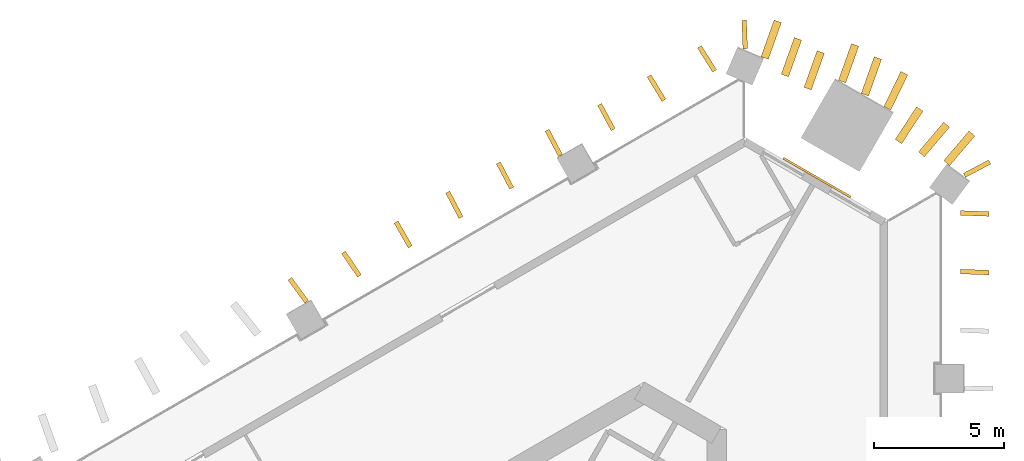
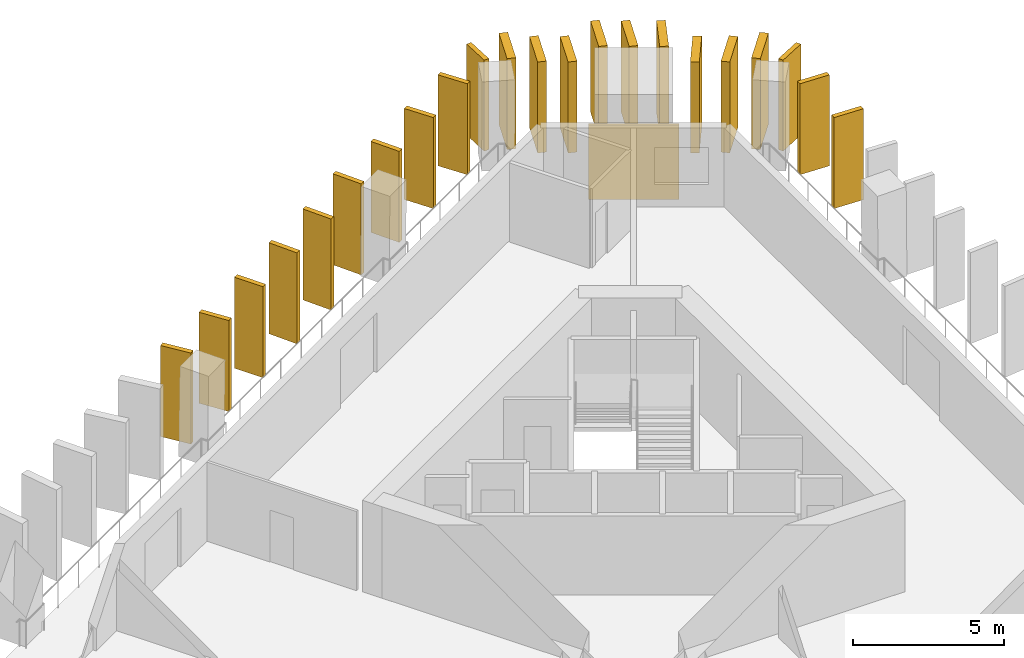
# One storey, part 10 of 10: 22 shading devices, 1 covering.
"""IFC4 building model written with IfcOpenShell, lengths in metres."""

from ifc_helpers import new_model, si_unit, direction, frame, frame_2d, origin, origin_2d, place, context, subcontext, project, spatial, rectangle, extrude, material, layer, layer_set, type_object, element, save


model = new_model("IFC4")

# Units and contexts
model_context = context("Model", 3, precision=1e-05, world=origin(), true_north=direction((0.0, 1.0)))
body_context = subcontext(model_context, "Body", "Model", "MODEL_VIEW")
ifc_project = project(units=[si_unit("LENGTHUNIT", "METRE"), si_unit("AREAUNIT", "SQUARE_METRE"), si_unit("VOLUMEUNIT", "CUBIC_METRE"), si_unit("PLANEANGLEUNIT", "RADIAN"), si_unit("MASSUNIT", "GRAM", prefix="KILO")], contexts=[model_context])

# Site, building, storey
site_placement = place(None, origin())
site = spatial("IfcSite", under=ifc_project, at=site_placement, CompositionType="ELEMENT")
building_placement = place(site_placement, origin())
building = spatial("IfcBuilding", under=site, at=building_placement, Name="Jabali Bay Hotel Tower and Convention Centre", CompositionType="ELEMENT")
storey_placement = place(building_placement, frame((0.0, 0.0, 57.300048828125)))
storey = spatial("IfcBuildingStorey", under=building, at=storey_placement, Name="L12", CompositionType="ELEMENT", Elevation=57.300048828125)

# Shading devices
ifc_material_1 = material(Name="Precast concrete C60", Category="concrete")
ifc_layer_1 = layer(ifc_material_1, 0.179931640625)
ifc_layer_set_1 = layer_set([ifc_layer_1], Name="Precast concrete C60")
shading_device_type_1 = type_object("IfcShadingDeviceType", Name="Precast fin 3680 x 1100", PredefinedType="USERDEFINED", material=ifc_layer_set_1)
shading_device_1_placement = place(storey_placement, frame((98.90234375, 108.20751953125, 0.010009765625), z_axis=(0.0, 0.0, 1.0), x_axis=(0.999287815158, -0.037734102305, 0.0)))
element("IfcShadingDevice", 1, at=shading_device_1_placement, inside=storey, type_object=shading_device_type_1, Name="Fin L12 026", ObjectType="FIN", PredefinedType="USERDEFINED", context=body_context, shape_type="SweptSolid", body=[
    extrude(rectangle(XDim=1.099853515625, YDim=0.179931640625, at=frame_2d((0.5498046875, 0.0))), origin(), (0.0, 0.0, 1.0), 3.679931640625),
])
for number, where, z_axis, x_axis, name in (
    (2, (98.902099609375, 110.464111328125, 0.010009765625), (0.0, 0.0, 1.0), (0.99931300854, -0.037060908822, 0.0), "Fin L12 027"),
    (3, (89.431640625, 115.931884765625, 0.010009765625), (0.0, 0.0, 1.0), (-0.53149419322, 0.8470619355, 0.0), "Fin L12 037"),
):
    element("IfcShadingDevice", number, at=place(storey_placement, frame(where, z_axis=z_axis, x_axis=x_axis)), inside=storey, type_object=shading_device_type_1, Name=name, ObjectType="FIN", PredefinedType="USERDEFINED", context=body_context, shape_type="SweptSolid", body=[
        extrude(rectangle(XDim=1.10009765625, YDim=0.179931640625, at=frame_2d((0.550048828125, 0.0))), origin(), (0.0, 0.0, 1.0), 3.679931640625),
    ])
for number, where, z_axis, x_axis, name in (
    (4, (87.47802734375, 114.802490234375, 0.010009765625), (0.0, 0.0, 1.0), (-0.518700098875, 0.854956260534, 0.0), "Fin L12 038"),
    (5, (85.523193359375, 113.6748046875, 0.010009765625), (0.0, 0.0, 1.0), (-0.474179250163, 0.880428326847, 0.0), "Fin L12 039"),
    (6, (83.49365234375, 112.677001953125, 0.010009765625), (0.0, 0.0, 1.0), (-0.467255274721, 0.884122450934, 0.0), "Fin L12 040"),
):
    element("IfcShadingDevice", number, at=place(storey_placement, frame(where, z_axis=z_axis, x_axis=x_axis)), inside=storey, type_object=shading_device_type_1, Name=name, ObjectType="FIN", PredefinedType="USERDEFINED", context=body_context, shape_type="SweptSolid", body=[
        extrude(rectangle(XDim=1.099853515625, YDim=0.179931640625, at=frame_2d((0.5498046875, 0.0))), origin(), (0.0, 0.0, 1.0), 3.679931640625),
    ])
shading_device_2_placement = place(storey_placement, frame((81.614501953125, 111.418701171875, 0.010009765625), z_axis=(0.0, 0.0, 1.0), x_axis=(-0.466286019642, 0.884634019178, 0.0)))
element("IfcShadingDevice", 7, at=shading_device_2_placement, inside=storey, type_object=shading_device_type_1, Name="Fin L12 041", ObjectType="FIN", PredefinedType="USERDEFINED", context=body_context, shape_type="SweptSolid", body=[
    extrude(rectangle(XDim=1.10009765625, YDim=0.179931640625, at=frame_2d((0.550048828125, 0.0))), origin(), (0.0, 0.0, 1.0), 3.679931640625),
])
shading_device_3_placement = place(storey_placement, frame((79.659912109375, 110.290771484375, 0.010009765625), z_axis=(0.0, 0.0, 1.0), x_axis=(-0.463476076076, 0.886109432804, 0.0)))
element("IfcShadingDevice", 8, at=shading_device_3_placement, inside=storey, type_object=shading_device_type_1, Name="Fin L12 042", ObjectType="FIN", PredefinedType="USERDEFINED", context=body_context, shape_type="SweptSolid", body=[
    extrude(rectangle(XDim=1.099853515625, YDim=0.179931640625, at=frame_2d((0.5498046875, 0.0))), origin(), (0.0, 0.0, 1.0), 3.679931640625),
])
for number, where, z_axis, x_axis, name in (
    (9, (77.707275390625, 109.15966796875, 0.010009765625), (0.0, 0.0, 1.0), (-0.494680334355, 0.869075006431, 0.0), "Fin L12 043"),
    (10, (75.750244140625, 108.036376953125, 0.010009765625), (0.0, 0.0, 1.0), (-0.559709151738, 0.828689124739, 0.0), "Fin L12 044"),
    (11, (73.71923828125, 107.041015625, 0.010009765625), (0.0, 0.0, 1.0), (-0.592123497411, 0.805847233546, 0.0), "Fin L12 045"),
):
    element("IfcShadingDevice", number, at=place(storey_placement, frame(where, z_axis=z_axis, x_axis=x_axis)), inside=storey, type_object=shading_device_type_1, Name=name, ObjectType="FIN", PredefinedType="USERDEFINED", context=body_context, shape_type="SweptSolid", body=[
        extrude(rectangle(XDim=1.10009765625, YDim=0.179931640625, at=frame_2d((0.550048828125, 0.0))), origin(), (0.0, 0.0, 1.0), 3.679931640625),
    ])
for number, where, z_axis, x_axis, name in (
    (12, (99.053955078125, 111.912841796875, 0.010009765625), (0.0, 0.0, 1.0), (0.883890481929, 0.467693934059, 0.0), "Fin L12 112"),
    (13, (90.6103515625, 116.78759765625, 0.010009765625), (0.0, 0.0, 1.0), (-0.036625787067, 0.999329050774, 0.0), "Fin L12 113"),
):
    element("IfcShadingDevice", number, at=place(storey_placement, frame(where, z_axis=z_axis, x_axis=x_axis)), inside=storey, type_object=shading_device_type_1, Name=name, ObjectType="FIN", PredefinedType="USERDEFINED", context=body_context, shape_type="SweptSolid", body=[
        extrude(rectangle(XDim=1.099853515625, YDim=0.179931640625, at=frame_2d((0.5498046875, 0.0))), origin(), (0.0, 0.0, 1.0), 3.679931640625),
    ])
ifc_layer_2 = layer(ifc_material_1, 0.300048828125)
ifc_layer_set_2 = layer_set([ifc_layer_2], Name="Precast concrete C60")
shading_device_type_2 = type_object("IfcShadingDeviceType", Name="Precast fin 3680 x 1500", PredefinedType="USERDEFINED", material=ifc_layer_set_2)
for number, where, z_axis, x_axis, name in (
    (14, (98.37158203125, 112.38427734375, 0.010009765625), (0.0, 0.0, 1.0), (0.648455975435, 0.76125215791, 0.0), "Fin L12 028"),
    (15, (97.3974609375, 112.72119140625, 0.010009765625), (0.0, 0.0, 1.0), (0.647487764672, 0.7620758457, 0.0), "Fin L12 029"),
    (16, (96.51171875, 113.2109375, 0.010009765625), (0.0, 0.0, 1.0), (0.546863410576, 0.837221840478, 0.0), "Fin L12 030"),
):
    element("IfcShadingDevice", number, at=place(storey_placement, frame(where, z_axis=z_axis, x_axis=x_axis)), inside=storey, type_object=shading_device_type_2, Name=name, ObjectType="FIN", PredefinedType="USERDEFINED", context=body_context, shape_type="SweptSolid", body=[
        extrude(rectangle(XDim=1.5, YDim=0.300048828125, at=frame_2d((0.75, 0.0))), origin(), (0.0, 0.0, 1.0), 3.679931640625),
    ])
shading_device_4_placement = place(storey_placement, frame((96.086181640625, 114.498046875, 0.010009765625), z_axis=(0.0, 0.0, 1.0), x_axis=(0.434999355225, 0.900430764109, 0.0)))
element("IfcShadingDevice", 17, at=shading_device_4_placement, inside=storey, type_object=shading_device_type_2, Name="Fin L12 031", ObjectType="FIN", PredefinedType="USERDEFINED", context=body_context, shape_type="SweptSolid", body=[
    extrude(rectangle(XDim=1.500244140625, YDim=0.300048828125, at=frame_2d((0.75, 0.0))), origin(), (0.0, 0.0, 1.0), 3.679931640625),
])
for number, where, z_axis, x_axis, name in (
    (18, (95.2177734375, 115.01806640625, 0.010009765625), (0.0, 0.0, 1.0), (0.335109201498, 0.942179294546, 0.0), "Fin L12 032"),
    (19, (94.34130859375, 115.524169921875, 0.010009765625), (0.0, 0.0, 1.0), (0.335109201498, 0.942179294546, 0.0), "Fin L12 033"),
    (20, (93.01513671875, 115.25146484375, 0.010009765625), (0.0, 0.0, 1.0), (0.335109201498, 0.942179294546, 0.0), "Fin L12 034"),
):
    element("IfcShadingDevice", number, at=place(storey_placement, frame(where, z_axis=z_axis, x_axis=x_axis)), inside=storey, type_object=shading_device_type_2, Name=name, ObjectType="FIN", PredefinedType="USERDEFINED", context=body_context, shape_type="SweptSolid", body=[
        extrude(rectangle(XDim=1.5, YDim=0.300048828125, at=frame_2d((0.75, 0.0))), origin(), (0.0, 0.0, 1.0), 3.679931640625),
    ])
shading_device_5_placement = place(storey_placement, frame((92.138671875, 115.757568359375, 0.010009765625), z_axis=(0.0, 0.0, 1.0), x_axis=(0.335160595484, 0.942161013434, 0.0)))
element("IfcShadingDevice", 21, at=shading_device_5_placement, inside=storey, type_object=shading_device_type_2, Name="Fin L12 035", ObjectType="FIN", PredefinedType="USERDEFINED", context=body_context, shape_type="SweptSolid", body=[
    extrude(rectangle(XDim=1.499755859375, YDim=0.300048828125, at=frame_2d((0.75, 0.0))), origin(), (0.0, 0.0, 1.0), 3.679931640625),
])
shading_device_6_placement = place(storey_placement, frame((91.359619140625, 116.4326171875, 0.010009765625), z_axis=(0.0, 0.0, 1.0), x_axis=(0.335305076677, 0.942109603791, 0.0)))
element("IfcShadingDevice", 22, at=shading_device_6_placement, inside=storey, type_object=shading_device_type_2, Name="Fin L12 036", ObjectType="FIN", PredefinedType="USERDEFINED", context=body_context, shape_type="SweptSolid", body=[
    extrude(rectangle(XDim=1.5, YDim=0.300048828125, at=frame_2d((0.75, 0.0))), origin(), (0.0, 0.0, 1.0), 3.679931640625),
])

# Covering
ifc_material_2 = material(Name="Precast concrete C40/50", Category="concrete")
ifc_layer_3 = layer(ifc_material_2, 0.080078125)
ifc_layer_set_3 = layer_set([ifc_layer_3], Name="Precast concrete C40/50")
covering_type = type_object("IfcCoveringType", Name="Relief panel 3000 x 3000", PredefinedType="CLADDING", material=ifc_layer_set_3)
covering_placement = place(storey_placement, frame((93.37451171875, 111.82568359375, 0.099853515625), z_axis=(0.0, 0.0, 1.0), x_axis=(0.866025414693, -0.499999981106, 0.0)))
element("IfcCovering", 23, at=covering_placement, inside=storey, type_object=covering_type, Name="Relief panel L12", PredefinedType="CLADDING", context=body_context, shape_type="SweptSolid", body=[
    extrude(rectangle(XDim=3.0, YDim=0.080078125, at=origin_2d()), origin(), (0.0, 0.0, 1.0), 3.0),
])

save(model, "model.ifc")
